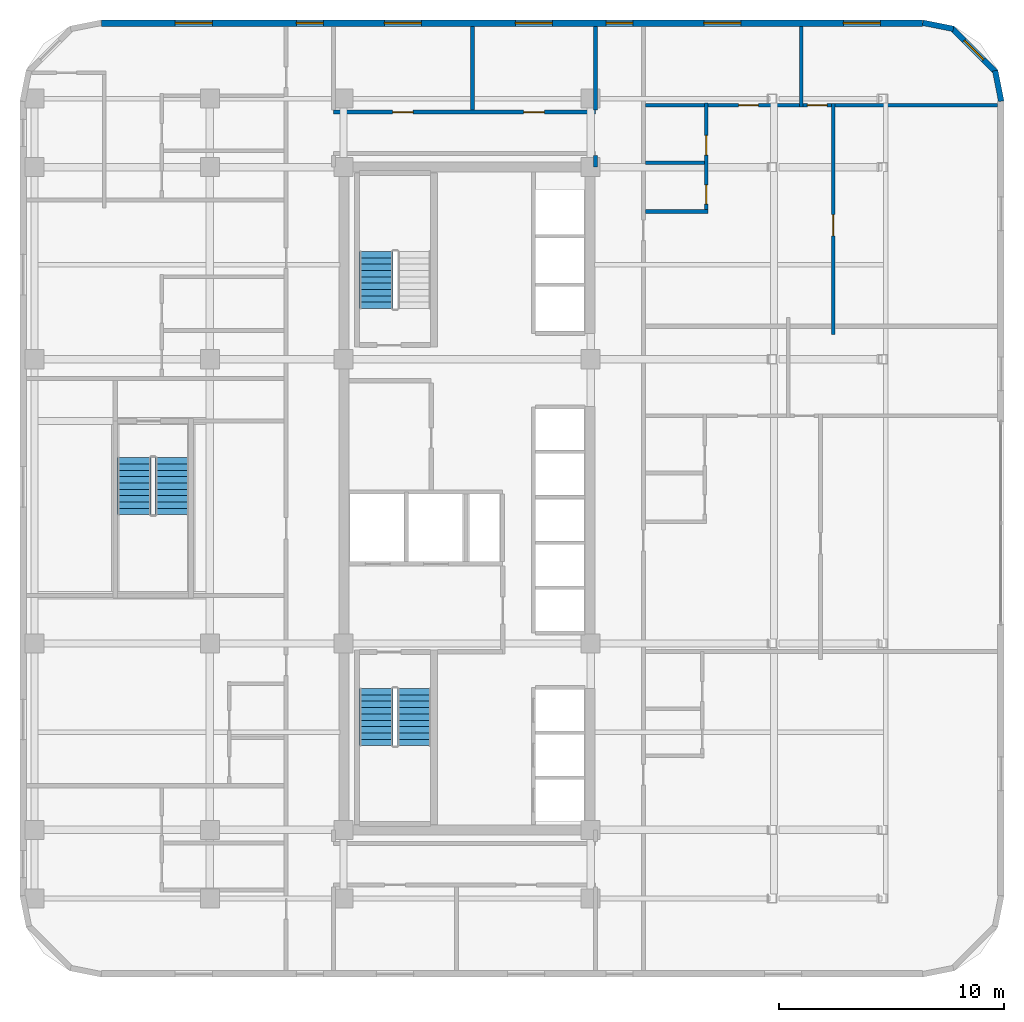
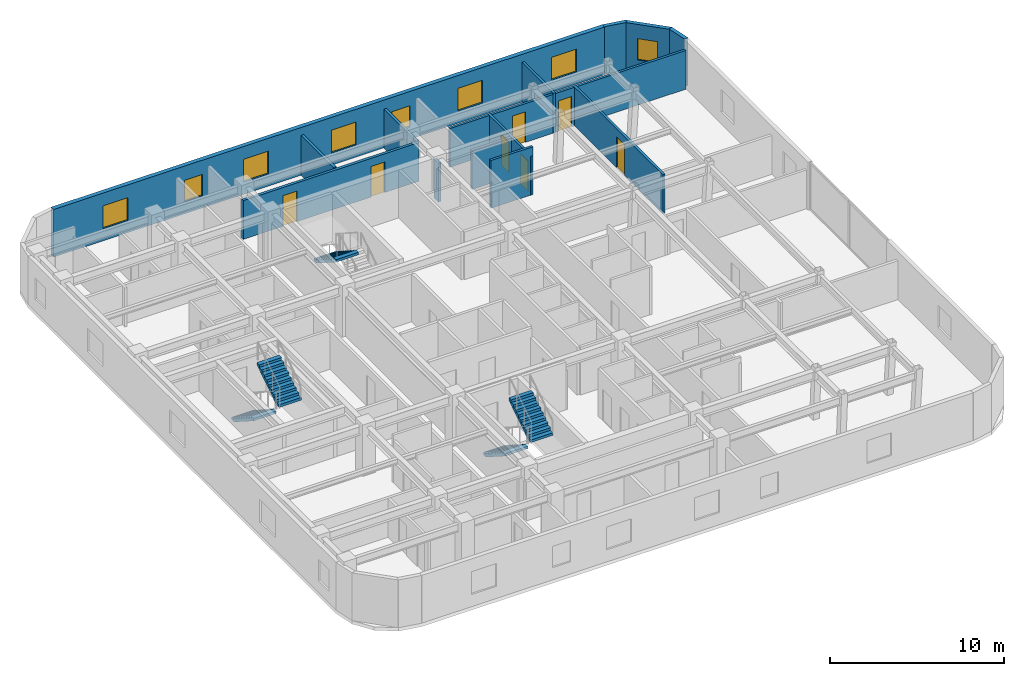
# One storey, part 7 of 9: 14 walls, 8 windows, 7 doors, 5 stair flights, 15 openings, 3 elements without a shape of their own.
"""IFC4 building model written with IfcOpenShell, lengths in metres."""

from ifc_helpers import new_model, si_unit, direction, frame, frame_2d, origin, place, context, subcontext, project, spatial, polyline, rectangle, outline, extrude, material, layer, layer_set, type_object, element, fill, aggregate, save


model = new_model("IFC4")

# Units and contexts
model_context = context("Model", 3, precision=1e-05, world=origin(), true_north=direction((0.0, 1.0)))
body_context = subcontext(model_context, "Body", "Model", "MODEL_VIEW")
ifc_project = project(units=[si_unit("LENGTHUNIT", "METRE"), si_unit("AREAUNIT", "SQUARE_METRE"), si_unit("VOLUMEUNIT", "CUBIC_METRE"), si_unit("PLANEANGLEUNIT", "RADIAN"), si_unit("MASSUNIT", "GRAM", prefix="KILO")], contexts=[model_context])

# Site, building, storey
site_placement = place(None, origin())
site = spatial("IfcSite", under=ifc_project, at=site_placement, CompositionType="ELEMENT")
building_placement = place(site_placement, origin())
building = spatial("IfcBuilding", under=site, at=building_placement, Name="Ochreholt Gables", CompositionType="ELEMENT")
storey_placement = place(building_placement, frame((0.0, 0.0, 94.800048828125)))
storey = spatial("IfcBuildingStorey", under=building, at=storey_placement, Name="L24", CompositionType="ELEMENT", Elevation=94.800048828125)

# Wall, openings, windows
ifc_material_1 = material(Name="Precast concrete 40 MPa", Category="concrete")
ifc_layer_1 = layer(ifc_material_1, 0.280029296875, Name="Precast concrete 40 MPa")
ifc_layer_set_1 = layer_set([ifc_layer_1], Name="Precast concrete 40 MPa")
wall_type_1 = type_object("IfcWallType", Name="WALL-EXT-280", PredefinedType="SOLIDWALL", material=ifc_layer_set_1)
wall_1_placement = place(storey_placement, frame((49.97998046875, 45.159912109375, 0.0), z_axis=(0.0, 0.0, 1.0), x_axis=(-1.0, 0.0, 0.0)))
wall_1 = element("IfcWall", 1, at=wall_1_placement, inside=storey, type_object=wall_type_1, Name="L24 North Exterior Wall", PredefinedType="SOLIDWALL", context=body_context, shape_type="SweptSolid", body=[
    extrude(rectangle(XDim=36.56005859375, YDim=0.280029296875, at=frame_2d((18.280029296875, 0.0))), origin(), (0.0, 0.0, 1.0), 3.349853515625),
])
opening_1_placement = place(wall_1_placement, frame((31.6201171875, 0.0, 0.85009765625)))
opening_1 = element("IfcOpeningElement", 2, at=opening_1_placement, cuts=wall_1, Name="Opening WN-7", PredefinedType="OPENING", context=body_context, shape_type="SweptSolid", body=[
    extrude(rectangle(XDim=1.64990234375, YDim=1.60009765625, at=frame_2d((0.824951171875, 0.800048828125))), frame((0.0, 0.14990234375, 0.0), z_axis=(0.0, -1.0, 0.0), x_axis=(1.0, 0.0, 0.0)), (0.0, 0.0, 1.0), 0.300048828125),
])
opening_2_placement = place(wall_1_placement, frame((26.679931640625, 0.0, 0.85009765625)))
opening_2 = element("IfcOpeningElement", 3, at=opening_2_placement, cuts=wall_1, Name="Opening WN-3", PredefinedType="OPENING", context=body_context, shape_type="SweptSolid", body=[
    extrude(rectangle(XDim=1.199951171875, YDim=1.5, at=frame_2d((0.60009765625, 0.75))), frame((0.0, 0.14990234375, 0.0), z_axis=(0.0, -1.0, 0.0), x_axis=(1.0, 0.0, 0.0)), (0.0, 0.0, 1.0), 0.300048828125),
])
opening_3_placement = place(wall_1_placement, frame((22.3125, 0.0, 0.85009765625)))
opening_3 = element("IfcOpeningElement", 4, at=opening_3_placement, cuts=wall_1, Name="Opening WN-7", PredefinedType="OPENING", context=body_context, shape_type="SweptSolid", body=[
    extrude(rectangle(XDim=1.64990234375, YDim=1.60009765625, at=frame_2d((0.824951171875, 0.800048828125))), frame((0.0, 0.14990234375, 0.0), z_axis=(0.0, -1.0, 0.0), x_axis=(1.0, 0.0, 0.0)), (0.0, 0.0, 1.0), 0.300048828125),
])
opening_4_placement = place(wall_1_placement, frame((16.477294921875, 0.0, 0.85009765625)))
opening_4 = element("IfcOpeningElement", 5, at=opening_4_placement, cuts=wall_1, Name="Opening WN-7", PredefinedType="OPENING", context=body_context, shape_type="SweptSolid", body=[
    extrude(rectangle(XDim=1.64990234375, YDim=1.60009765625, at=frame_2d((0.824951171875, 0.800048828125))), frame((0.0, 0.14990234375, 0.0), z_axis=(0.0, -1.0, 0.0), x_axis=(1.0, 0.0, 0.0)), (0.0, 0.0, 1.0), 0.300048828125),
])
opening_5_placement = place(wall_1_placement, frame((12.89501953125, 0.0, 0.85009765625)))
opening_5 = element("IfcOpeningElement", 6, at=opening_5_placement, cuts=wall_1, Name="Opening WN-3", PredefinedType="OPENING", context=body_context, shape_type="SweptSolid", body=[
    extrude(rectangle(XDim=1.199951171875, YDim=1.5, at=frame_2d((0.60009765625, 0.75))), frame((0.0, 0.14990234375, 0.0), z_axis=(0.0, -1.0, 0.0), x_axis=(1.0, 0.0, 0.0)), (0.0, 0.0, 1.0), 0.300048828125),
])
opening_6_placement = place(wall_1_placement, frame((8.09228515625, 0.0, 0.85009765625)))
opening_6 = element("IfcOpeningElement", 7, at=opening_6_placement, cuts=wall_1, Name="Opening WN-7", PredefinedType="OPENING", context=body_context, shape_type="SweptSolid", body=[
    extrude(rectangle(XDim=1.64990234375, YDim=1.60009765625, at=frame_2d((0.824951171875, 0.800048828125))), frame((0.0, 0.14990234375, 0.0), z_axis=(0.0, -1.0, 0.0), x_axis=(1.0, 0.0, 0.0)), (0.0, 0.0, 1.0), 0.300048828125),
])
opening_7_placement = place(wall_1_placement, frame((1.87744140625, 0.0, 0.85009765625)))
opening_7 = element("IfcOpeningElement", 8, at=opening_7_placement, cuts=wall_1, Name="Opening WN-7", PredefinedType="OPENING", context=body_context, shape_type="SweptSolid", body=[
    extrude(rectangle(XDim=1.64990234375, YDim=1.60009765625, at=frame_2d((0.824951171875, 0.800048828125))), frame((0.0, 0.14990234375, 0.0), z_axis=(0.0, -1.0, 0.0), x_axis=(1.0, 0.0, 0.0)), (0.0, 0.0, 1.0), 0.300048828125),
])
ifc_material_2 = material(Name="Triple-Glazed Thermally Broken Aluminium Window", Category="aluminium")
window_type_1 = type_object("IfcWindowType", Name="WIN-RES-1200", PartitioningType="SINGLE_PANEL", PredefinedType="WINDOW", material=ifc_material_2)
window_1_placement = place(opening_2_placement, origin())
window_1 = element("IfcWindow", 9, at=window_1_placement, inside=storey, type_object=window_type_1, Name="L24 Window W-EXT-N-L24-2", OverallHeight=1.5, OverallWidth=1.199951171875, PartitioningType="SINGLE_PANEL", PredefinedType="WINDOW", context=body_context, shape_type="SweptSolid", body=[
    extrude(rectangle(XDim=1.199951171875, YDim=1.5, at=frame_2d((0.60009765625, 0.75))), frame((0.0, 0.030029296875, 0.0), z_axis=(0.0, -1.0, 0.0), x_axis=(1.0, 0.0, 0.0)), (0.0, 0.0, 1.0), 0.06005859375),
])
fill(opening_2, window_1)
window_2_placement = place(opening_5_placement, origin())
window_2 = element("IfcWindow", 10, at=window_2_placement, inside=storey, type_object=window_type_1, Name="L24 Window W-EXT-N-L24-5", OverallHeight=1.5, OverallWidth=1.199951171875, PartitioningType="SINGLE_PANEL", PredefinedType="WINDOW", context=body_context, shape_type="SweptSolid", body=[
    extrude(rectangle(XDim=1.199951171875, YDim=1.5, at=frame_2d((0.60009765625, 0.75))), frame((0.0, 0.030029296875, 0.0), z_axis=(0.0, -1.0, 0.0), x_axis=(1.0, 0.0, 0.0)), (0.0, 0.0, 1.0), 0.06005859375),
])
fill(opening_5, window_2)
window_type_2 = type_object("IfcWindowType", Name="WIN-RES-1650", PartitioningType="SINGLE_PANEL", PredefinedType="WINDOW", material=ifc_material_2)
window_3_placement = place(opening_1_placement, origin())
window_3 = element("IfcWindow", 11, at=window_3_placement, inside=storey, type_object=window_type_2, Name="L24 Window W-EXT-N-L24-1", OverallHeight=1.60009765625, OverallWidth=1.64990234375, PartitioningType="SINGLE_PANEL", PredefinedType="WINDOW", context=body_context, shape_type="SweptSolid", body=[
    extrude(rectangle(XDim=1.64990234375, YDim=1.60009765625, at=frame_2d((0.824951171875, 0.800048828125))), frame((0.0, 0.030029296875, 0.0), z_axis=(0.0, -1.0, 0.0), x_axis=(1.0, 0.0, 0.0)), (0.0, 0.0, 1.0), 0.06005859375),
])
fill(opening_1, window_3)
window_4_placement = place(opening_3_placement, origin())
window_4 = element("IfcWindow", 12, at=window_4_placement, inside=storey, type_object=window_type_2, Name="L24 Window W-EXT-N-L24-3", OverallHeight=1.60009765625, OverallWidth=1.64990234375, PartitioningType="SINGLE_PANEL", PredefinedType="WINDOW", context=body_context, shape_type="SweptSolid", body=[
    extrude(rectangle(XDim=1.64990234375, YDim=1.60009765625, at=frame_2d((0.824951171875, 0.800048828125))), frame((0.0, 0.030029296875, 0.0), z_axis=(0.0, -1.0, 0.0), x_axis=(1.0, 0.0, 0.0)), (0.0, 0.0, 1.0), 0.06005859375),
])
fill(opening_3, window_4)
window_5_placement = place(opening_4_placement, origin())
window_5 = element("IfcWindow", 13, at=window_5_placement, inside=storey, type_object=window_type_2, Name="L24 Window W-EXT-N-L24-4", OverallHeight=1.60009765625, OverallWidth=1.64990234375, PartitioningType="SINGLE_PANEL", PredefinedType="WINDOW", context=body_context, shape_type="SweptSolid", body=[
    extrude(rectangle(XDim=1.64990234375, YDim=1.60009765625, at=frame_2d((0.824951171875, 0.800048828125))), frame((0.0, 0.030029296875, 0.0), z_axis=(0.0, -1.0, 0.0), x_axis=(1.0, 0.0, 0.0)), (0.0, 0.0, 1.0), 0.06005859375),
])
fill(opening_4, window_5)
window_6_placement = place(opening_6_placement, origin())
window_6 = element("IfcWindow", 14, at=window_6_placement, inside=storey, type_object=window_type_2, Name="L24 Window W-EXT-N-L24-6", OverallHeight=1.60009765625, OverallWidth=1.64990234375, PartitioningType="SINGLE_PANEL", PredefinedType="WINDOW", context=body_context, shape_type="SweptSolid", body=[
    extrude(rectangle(XDim=1.64990234375, YDim=1.60009765625, at=frame_2d((0.824951171875, 0.800048828125))), frame((0.0, 0.030029296875, 0.0), z_axis=(0.0, -1.0, 0.0), x_axis=(1.0, 0.0, 0.0)), (0.0, 0.0, 1.0), 0.06005859375),
])
fill(opening_6, window_6)
window_7_placement = place(opening_7_placement, origin())
window_7 = element("IfcWindow", 15, at=window_7_placement, inside=storey, type_object=window_type_2, Name="L24 Window W-EXT-N-L24-7", OverallHeight=1.60009765625, OverallWidth=1.64990234375, PartitioningType="SINGLE_PANEL", PredefinedType="WINDOW", context=body_context, shape_type="SweptSolid", body=[
    extrude(rectangle(XDim=1.64990234375, YDim=1.60009765625, at=frame_2d((0.824951171875, 0.800048828125))), frame((0.0, 0.030029296875, 0.0), z_axis=(0.0, -1.0, 0.0), x_axis=(1.0, 0.0, 0.0)), (0.0, 0.0, 1.0), 0.06005859375),
])
fill(opening_7, window_7)

# Wall
ifc_layer_2 = layer(ifc_material_1, 0.25, Name="Precast concrete 40 MPa")
ifc_layer_set_2 = layer_set([ifc_layer_2], Name="Precast concrete 40 MPa")
wall_type_2 = type_object("IfcWallType", Name="WALL-EXT-CNR", PredefinedType="SOLIDWALL", material=ifc_layer_set_2)
wall_2_placement = place(storey_placement, frame((53.475830078125, 41.68359375, 0.0), z_axis=(0.0, 0.0, 1.0), x_axis=(-0.195000137217, 0.980803214965, 0.0)))
element("IfcWall", 16, at=wall_2_placement, inside=storey, type_object=wall_type_2, Name="L24 Rounded Corner Wall NE-1", PredefinedType="SOLIDWALL", context=body_context, shape_type="SweptSolid", body=[
    extrude(rectangle(XDim=1.388427734375, YDim=0.25, at=frame_2d((0.6943359375, 0.0))), origin(), (0.0, 0.0, 1.0), 3.349853515625),
])

# Wall, opening, window
wall_3_placement = place(storey_placement, frame((53.23193359375, 42.9951171875, 0.0), z_axis=(0.0, 0.0, 1.0), x_axis=(-0.707151344399, 0.707062215165, 0.0)))
wall_3 = element("IfcWall", 17, at=wall_3_placement, inside=storey, type_object=wall_type_2, Name="L24 Rounded Corner Wall NE-2", PredefinedType="SOLIDWALL", context=body_context, shape_type="SweptSolid", body=[
    extrude(rectangle(XDim=2.7392578125, YDim=0.25, at=frame_2d((1.36962890625, 0.0))), origin(), (0.0, 0.0, 1.0), 3.349853515625),
])
opening_8_placement = place(wall_3_placement, frame((0.769775390625, 0.0, 0.85009765625)))
opening_8 = element("IfcOpeningElement", 18, at=opening_8_placement, cuts=wall_3, Name="Opening WN-3", PredefinedType="OPENING", context=body_context, shape_type="SweptSolid", body=[
    extrude(rectangle(XDim=1.199951171875, YDim=1.5, at=frame_2d((0.60009765625, 0.75))), frame((0.0, 0.135009765625, 0.0), z_axis=(0.0, -1.0, 0.0), x_axis=(1.0, 0.0, 0.0)), (0.0, 0.0, 1.0), 0.27001953125),
])
window_8_placement = place(opening_8_placement, origin())
window_8 = element("IfcWindow", 19, at=window_8_placement, inside=storey, type_object=window_type_1, Name="L24 Corner Bedroom Window NE", OverallHeight=1.5, OverallWidth=1.199951171875, PartitioningType="SINGLE_PANEL", PredefinedType="WINDOW", context=body_context, shape_type="SweptSolid", body=[
    extrude(rectangle(XDim=1.199951171875, YDim=1.5, at=frame_2d((0.60009765625, 0.75))), frame((0.0, 0.030029296875, 0.0), z_axis=(0.0, -1.0, 0.0), x_axis=(1.0, 0.0, 0.0)), (0.0, 0.0, 1.0), 0.06005859375),
])
fill(opening_8, window_8)

# Wall
wall_4_placement = place(storey_placement, frame((51.345458984375, 44.905029296875, 0.0), z_axis=(0.0, 0.0, 1.0), x_axis=(-0.980809899341, 0.19496651342, 0.0)))
element("IfcWall", 20, at=wall_4_placement, inside=storey, type_object=wall_type_2, Name="L24 Rounded Corner Wall NE-3", PredefinedType="SOLIDWALL", context=body_context, shape_type="SweptSolid", body=[
    extrude(rectangle(XDim=1.388671875, YDim=0.25, at=frame_2d((0.6943359375, 0.0))), origin(), (0.0, 0.0, 1.0), 3.349853515625),
])

# Wall, openings, doors
ifc_material_3 = material(Name="Fire-Rated Gypsum Acoustic Partition", Category="gypsum")
ifc_layer_3 = layer(ifc_material_3, 0.179931640625, Name="Fire-Rated Gypsum Acoustic Partition")
ifc_layer_set_3 = layer_set([ifc_layer_3], Name="Fire-Rated Gypsum Acoustic Partition")
wall_type_3 = type_object("IfcWallType", Name="WALL-INT-CR180", PredefinedType="STANDARD", material=ifc_layer_set_3)
wall_5_placement = place(storey_placement, frame((23.75, 41.199951171875, 0.0), z_axis=(0.0, 0.0, 1.0), x_axis=(1.0, 0.0, 0.0)))
wall_5 = element("IfcWall", 21, at=wall_5_placement, inside=storey, type_object=wall_type_3, Name="L24 Interior Wall WI-C1N-L24", PredefinedType="STANDARD", context=body_context, shape_type="SweptSolid", body=[
    extrude(rectangle(XDim=11.669921875, YDim=0.179931640625, at=frame_2d((5.8349609375, 0.0))), origin(), (0.0, 0.0, 1.0), 2.720947265625),
])
opening_9_placement = place(wall_5_placement, frame((2.632568359375, 0.0, 0.0)))
opening_9 = element("IfcOpeningElement", 22, at=opening_9_placement, cuts=wall_5, Name="Opening D-UN1", PredefinedType="OPENING", context=body_context, shape_type="SweptSolid", body=[
    extrude(rectangle(XDim=0.919921875, YDim=2.14990234375, at=frame_2d((0.4599609375, 1.074951171875))), frame((0.0, 0.099853515625, 0.0), z_axis=(0.0, -1.0, 0.0), x_axis=(1.0, 0.0, 0.0)), (0.0, 0.0, 1.0), 0.199951171875),
])
opening_10_placement = place(wall_5_placement, frame((8.467529296875, 0.0, 0.0)))
opening_10 = element("IfcOpeningElement", 23, at=opening_10_placement, cuts=wall_5, Name="Opening D-UN1", PredefinedType="OPENING", context=body_context, shape_type="SweptSolid", body=[
    extrude(rectangle(XDim=0.919921875, YDim=2.14990234375, at=frame_2d((0.4599609375, 1.074951171875))), frame((0.0, 0.099853515625, 0.0), z_axis=(0.0, -1.0, 0.0), x_axis=(1.0, 0.0, 0.0)), (0.0, 0.0, 1.0), 0.199951171875),
])
ifc_material_4 = material(Name="Engineered Oak Timber", Category="wood")
door_type_1 = type_object("IfcDoorType", Name="DR-INT-UNT920", OperationType="NOTDEFINED", PredefinedType="DOOR", material=ifc_material_4)
door_1_placement = place(opening_9_placement, origin())
door_1 = element("IfcDoor", 24, at=door_1_placement, inside=storey, type_object=door_type_1, Name="L24 Door D-U-L24N1-ENT", OperationType="SINGLE_SWING_RIGHT", OverallHeight=2.14990234375, OverallWidth=0.919921875, PredefinedType="DOOR", context=body_context, shape_type="SweptSolid", body=[
    extrude(rectangle(XDim=0.919921875, YDim=2.14990234375, at=frame_2d((0.4599609375, 1.074951171875))), frame((0.0, 0.02490234375, 0.0), z_axis=(0.0, -1.0, 0.0), x_axis=(1.0, 0.0, 0.0)), (0.0, 0.0, 1.0), 0.050048828125),
])
fill(opening_9, door_1)
door_2_placement = place(opening_10_placement, origin())
door_2 = element("IfcDoor", 25, at=door_2_placement, inside=storey, type_object=door_type_1, Name="L24 Door D-U-L24N2-ENT", OperationType="SINGLE_SWING_RIGHT", OverallHeight=2.14990234375, OverallWidth=0.919921875, PredefinedType="DOOR", context=body_context, shape_type="SweptSolid", body=[
    extrude(rectangle(XDim=0.919921875, YDim=2.14990234375, at=frame_2d((0.4599609375, 1.074951171875))), frame((0.0, 0.02490234375, 0.0), z_axis=(0.0, -1.0, 0.0), x_axis=(1.0, 0.0, 0.0)), (0.0, 0.0, 1.0), 0.050048828125),
])
fill(opening_10, door_2)

# Walls
wall_6_placement = place(storey_placement, frame((35.419921875, 38.75, 0.0), z_axis=(0.0, 0.0, 1.0), x_axis=(0.0, 1.0, 0.0)))
element("IfcWall", 26, at=wall_6_placement, inside=storey, type_object=wall_type_3, Name="L24 Interior Wall WI-C1ENW2-L24", PredefinedType="STANDARD", context=body_context, shape_type="SweptSolid", body=[
    extrude(rectangle(XDim=0.510009765625, YDim=0.179931640625, at=frame_2d((0.2548828125, 0.0))), origin(), (0.0, 0.0, 1.0), 2.720947265625),
])
ifc_material_5 = material(Name="Double-Stud Acoustic Demising Wall", Category="gypsum")
ifc_layer_4 = layer(ifc_material_5, 0.179931640625, Name="Double-Stud Acoustic Demising Wall")
ifc_layer_set_4 = layer_set([ifc_layer_4], Name="Double-Stud Acoustic Demising Wall")
wall_type_4 = type_object("IfcWallType", Name="WALL-INT-DM180", PredefinedType="PARTITIONING", material=ifc_layer_set_4)
wall_7_placement = place(storey_placement, frame((35.419921875, 41.2900390625, 0.0), z_axis=(0.0, 0.0, 1.0), x_axis=(0.0, 1.0, 0.0)))
element("IfcWall", 27, at=wall_7_placement, inside=storey, type_object=wall_type_4, Name="L24 Interior Wall WI-C1ENW-L24", PredefinedType="PARTITIONING", context=body_context, shape_type="SweptSolid", body=[
    extrude(rectangle(XDim=3.72998046875, YDim=0.179931640625, at=frame_2d((1.864990234375, 0.0))), origin(), (0.0, 0.0, 1.0), 2.720947265625),
])
wall_8_placement = place(storey_placement, frame((29.93505859375, 41.2900390625, 0.0), z_axis=(0.0, 0.0, 1.0), x_axis=(0.0, 1.0, 0.0)))
element("IfcWall", 28, at=wall_8_placement, inside=storey, type_object=wall_type_4, Name="L24 Interior Wall WI-UDN-L24", PredefinedType="PARTITIONING", context=body_context, shape_type="SweptSolid", body=[
    extrude(rectangle(XDim=3.72998046875, YDim=0.179931640625, at=frame_2d((1.864990234375, 0.0))), origin(), (0.0, 0.0, 1.0), 2.799072265625),
])
ifc_material_6 = material(Name="Moisture-Resistant Plumbing Chase Wall", Category="gypsum")
ifc_layer_5 = layer(ifc_material_6, 0.159912109375, Name="Moisture-Resistant Plumbing Chase Wall")
ifc_layer_set_5 = layer_set([ifc_layer_5], Name="Moisture-Resistant Plumbing Chase Wall")
wall_type_5 = type_object("IfcWallType", Name="WALL-INT-PL160", PredefinedType="PLUMBINGWALL", material=ifc_layer_set_5)
wall_9_placement = place(storey_placement, frame((37.639892578125, 36.7744140625, 0.0), z_axis=(0.0, 0.0, 1.0), x_axis=(1.0, 0.0, 0.0)))
element("IfcWall", 29, at=wall_9_placement, inside=storey, type_object=wall_type_5, Name="L24 Interior Wall WU-L24E3-FYS", PredefinedType="PLUMBINGWALL", context=body_context, shape_type="SweptSolid", body=[
    extrude(rectangle(XDim=2.7880859375, YDim=0.159912109375, at=frame_2d((1.39404296875, 0.0))), origin(), (0.0, 0.0, 1.0), 3.349853515625),
])

# Wall, openings, doors
wall_10_placement = place(storey_placement, frame((40.347900390625, 36.6845703125, 0.0), z_axis=(0.0, 0.0, 1.0), x_axis=(0.0, 1.0, 0.0)))
wall_10 = element("IfcWall", 30, at=wall_10_placement, inside=storey, type_object=wall_type_5, Name="L24 Interior Wall WU-L24E3-WX", PredefinedType="PLUMBINGWALL", context=body_context, shape_type="SweptSolid", body=[
    extrude(rectangle(XDim=4.91552734375, YDim=0.159912109375, at=frame_2d((2.457763671875, 0.0))), origin(), (0.0, 0.0, 1.0), 2.720947265625),
])
opening_11_placement = place(wall_10_placement, frame((0.419921875, 0.0, 0.0)))
opening_11 = element("IfcOpeningElement", 31, at=opening_11_placement, cuts=wall_10, Name="Opening D-BT1", PredefinedType="OPENING", context=body_context, shape_type="SweptSolid", body=[
    extrude(rectangle(XDim=0.860107421875, YDim=2.1201171875, at=frame_2d((0.43017578125, 1.06005859375))), frame((0.0, 0.08984375, 0.0), z_axis=(0.0, -1.0, 0.0), x_axis=(1.0, 0.0, 0.0)), (0.0, 0.0, 1.0), 0.179931640625),
])
opening_12_placement = place(wall_10_placement, frame((2.598388671875, 0.0, 0.0)))
opening_12 = element("IfcOpeningElement", 32, at=opening_12_placement, cuts=wall_10, Name="Opening D-GN2", PredefinedType="OPENING", context=body_context, shape_type="SweptSolid", body=[
    extrude(rectangle(XDim=0.8798828125, YDim=2.1201171875, at=frame_2d((0.43994140625, 1.06005859375))), frame((0.0, 0.08984375, 0.0), z_axis=(0.0, -1.0, 0.0), x_axis=(1.0, 0.0, 0.0)), (0.0, 0.0, 1.0), 0.179931640625),
])
door_type_2 = type_object("IfcDoorType", Name="DR-INT-BTH860", OperationType="NOTDEFINED", PredefinedType="DOOR", material=ifc_material_4)
door_3_placement = place(opening_11_placement, origin())
door_3 = element("IfcDoor", 33, at=door_3_placement, inside=storey, type_object=door_type_2, Name="L24 Door D-U-L24E3-BTH", OperationType="SINGLE_SWING_LEFT", OverallHeight=2.1201171875, OverallWidth=0.860107421875, PredefinedType="DOOR", context=body_context, shape_type="SweptSolid", body=[
    extrude(rectangle(XDim=0.860107421875, YDim=2.1201171875, at=frame_2d((0.43017578125, 1.06005859375))), frame((0.0, 0.02490234375, 0.0), z_axis=(0.0, -1.0, 0.0), x_axis=(1.0, 0.0, 0.0)), (0.0, 0.0, 1.0), 0.050048828125),
])
fill(opening_11, door_3)
door_type_3 = type_object("IfcDoorType", Name="DR-INT-GEN880", OperationType="NOTDEFINED", PredefinedType="DOOR", material=ifc_material_4)
door_4_placement = place(opening_12_placement, origin())
door_4 = element("IfcDoor", 34, at=door_4_placement, inside=storey, type_object=door_type_3, Name="L24 Door D-U-L24E3-KIT", OperationType="SINGLE_SWING_RIGHT", OverallHeight=2.1201171875, OverallWidth=0.8798828125, PredefinedType="DOOR", context=body_context, shape_type="SweptSolid", body=[
    extrude(rectangle(XDim=0.8798828125, YDim=2.1201171875, at=frame_2d((0.43994140625, 1.06005859375))), frame((0.0, 0.02490234375, 0.0), z_axis=(0.0, -1.0, 0.0), x_axis=(1.0, 0.0, 0.0)), (0.0, 0.0, 1.0), 0.050048828125),
])
fill(opening_12, door_4)

# Wall
wall_11_placement = place(storey_placement, frame((37.639892578125, 38.952880859375, 0.0), z_axis=(0.0, 0.0, 1.0), x_axis=(1.0, 0.0, 0.0)))
element("IfcWall", 35, at=wall_11_placement, inside=storey, type_object=wall_type_5, Name="L24 Interior Wall WU-L24E3-WK", PredefinedType="PLUMBINGWALL", context=body_context, shape_type="SweptSolid", body=[
    extrude(rectangle(XDim=2.628173828125, YDim=0.159912109375, at=frame_2d((1.31396484375, 0.0))), origin(), (0.0, 0.0, 1.0), 2.720947265625),
])

# Wall, openings, doors
ifc_material_7 = material(Name="Gypsum Acoustic Stud Partition", Category="gypsum")
ifc_layer_6 = layer(ifc_material_7, 0.159912109375, Name="Gypsum Acoustic Stud Partition")
ifc_layer_set_6 = layer_set([ifc_layer_6], Name="Gypsum Acoustic Stud Partition")
wall_type_6 = type_object("IfcWallType", Name="WALL-INT-PT160", PredefinedType="PARTITIONING", material=ifc_layer_set_6)
wall_12_placement = place(storey_placement, frame((37.639892578125, 41.510009765625, 0.0), z_axis=(0.0, 0.0, 1.0), x_axis=(1.0, 0.0, 0.0)))
wall_12 = element("IfcWall", 36, at=wall_12_placement, inside=storey, type_object=wall_type_6, Name="L24 Interior Wall WU-L24E3-MN", PredefinedType="PARTITIONING", context=body_context, shape_type="SweptSolid", body=[
    extrude(rectangle(XDim=15.68017578125, YDim=0.159912109375, at=frame_2d((7.840087890625, 0.0))), origin(), (0.0, 0.0, 1.0), 2.720947265625),
])
opening_13_placement = place(wall_12_placement, frame((4.146484375, 0.0, 0.0)))
opening_13 = element("IfcOpeningElement", 37, at=opening_13_placement, cuts=wall_12, Name="Opening D-BD2", PredefinedType="OPENING", context=body_context, shape_type="SweptSolid", body=[
    extrude(rectangle(XDim=0.8798828125, YDim=2.139892578125, at=frame_2d((0.43994140625, 1.06982421875))), frame((0.0, 0.08984375, 0.0), z_axis=(0.0, -1.0, 0.0), x_axis=(1.0, 0.0, 0.0)), (0.0, 0.0, 1.0), 0.179931640625),
])
opening_14_placement = place(wall_12_placement, frame((7.205078125, 0.0, 0.0)))
opening_14 = element("IfcOpeningElement", 38, at=opening_14_placement, cuts=wall_12, Name="Opening D-BD2", PredefinedType="OPENING", context=body_context, shape_type="SweptSolid", body=[
    extrude(rectangle(XDim=0.8798828125, YDim=2.139892578125, at=frame_2d((0.43994140625, 1.06982421875))), frame((0.0, 0.08984375, 0.0), z_axis=(0.0, -1.0, 0.0), x_axis=(1.0, 0.0, 0.0)), (0.0, 0.0, 1.0), 0.179931640625),
])
door_type_4 = type_object("IfcDoorType", Name="DR-INT-BED880", OperationType="NOTDEFINED", PredefinedType="DOOR", material=ifc_material_4)
door_5_placement = place(opening_13_placement, origin())
door_5 = element("IfcDoor", 39, at=door_5_placement, inside=storey, type_object=door_type_4, Name="L24 Door D-U-L24E3-BD1", OperationType="SINGLE_SWING_RIGHT", OverallHeight=2.139892578125, OverallWidth=0.8798828125, PredefinedType="DOOR", context=body_context, shape_type="SweptSolid", body=[
    extrude(rectangle(XDim=0.8798828125, YDim=2.139892578125, at=frame_2d((0.43994140625, 1.06982421875))), frame((0.0, 0.02490234375, 0.0), z_axis=(0.0, -1.0, 0.0), x_axis=(1.0, 0.0, 0.0)), (0.0, 0.0, 1.0), 0.050048828125),
])
fill(opening_13, door_5)
door_6_placement = place(opening_14_placement, origin())
door_6 = element("IfcDoor", 40, at=door_6_placement, inside=storey, type_object=door_type_4, Name="L24 Door D-U-L24E3-BD2", OperationType="SINGLE_SWING_LEFT", OverallHeight=2.139892578125, OverallWidth=0.8798828125, PredefinedType="DOOR", context=body_context, shape_type="SweptSolid", body=[
    extrude(rectangle(XDim=0.8798828125, YDim=2.139892578125, at=frame_2d((0.43994140625, 1.06982421875))), frame((0.0, 0.02490234375, 0.0), z_axis=(0.0, -1.0, 0.0), x_axis=(1.0, 0.0, 0.0)), (0.0, 0.0, 1.0), 0.050048828125),
])
fill(opening_14, door_6)

# Wall, opening, door
wall_13_placement = place(storey_placement, frame((46.005126953125, 31.30810546875, 0.0), z_axis=(0.0, 0.0, 1.0), x_axis=(0.0, 1.0, 0.0)))
wall_13 = element("IfcWall", 41, at=wall_13_placement, inside=storey, type_object=wall_type_6, Name="L24 Interior Wall WU-L24E3-DNV", PredefinedType="PARTITIONING", context=body_context, shape_type="SweptSolid", body=[
    extrude(rectangle(XDim=10.281982421875, YDim=0.159912109375, at=frame_2d((5.14111328125, 0.0))), origin(), (0.0, 0.0, 1.0), 2.720947265625),
])
opening_15_placement = place(wall_13_placement, frame((4.381103515625, 0.0, 0.0)))
opening_15 = element("IfcOpeningElement", 42, at=opening_15_placement, cuts=wall_13, Name="Opening D-GN1", PredefinedType="OPENING", context=body_context, shape_type="SweptSolid", body=[
    extrude(rectangle(XDim=0.949951171875, YDim=2.14990234375, at=frame_2d((0.47509765625, 1.074951171875))), frame((0.0, 0.08984375, 0.0), z_axis=(0.0, -1.0, 0.0), x_axis=(1.0, 0.0, 0.0)), (0.0, 0.0, 1.0), 0.179931640625),
])
door_type_5 = type_object("IfcDoorType", Name="DR-INT-GEN950", OperationType="NOTDEFINED", PredefinedType="DOOR", material=ifc_material_4)
door_7_placement = place(opening_15_placement, origin())
door_7 = element("IfcDoor", 43, at=door_7_placement, inside=storey, type_object=door_type_5, Name="L24 Door D-U-L24E3-DIN", OperationType="SINGLE_SWING_LEFT", OverallHeight=2.14990234375, OverallWidth=0.949951171875, PredefinedType="DOOR", context=body_context, shape_type="SweptSolid", body=[
    extrude(rectangle(XDim=0.949951171875, YDim=2.14990234375, at=frame_2d((0.47509765625, 1.074951171875))), frame((0.0, 0.02490234375, 0.0), z_axis=(0.0, -1.0, 0.0), x_axis=(1.0, 0.0, 0.0)), (0.0, 0.0, 1.0), 0.050048828125),
])
fill(opening_15, door_7)

# Wall
wall_14_placement = place(storey_placement, frame((44.5751953125, 41.429931640625, 0.0), z_axis=(0.0, 0.0, 1.0), x_axis=(0.0, 1.0, 0.0)))
element("IfcWall", 44, at=wall_14_placement, inside=storey, type_object=wall_type_6, Name="L24 Interior Wall WU-L24E3-BSD", PredefinedType="PARTITIONING", context=body_context, shape_type="SweptSolid", body=[
    extrude(rectangle(XDim=3.590087890625, YDim=0.159912109375, at=frame_2d((1.794921875, 0.0))), origin(), (0.0, 0.0, 1.0), 2.799072265625),
])

# Stair, stair flights
ifc_material_8 = material(Name="Concrete 40 MPa", Category="concrete")
stair_type_1 = type_object("IfcStairType", Name="STAIR-CORE-ST-1", PredefinedType="HALF_TURN_STAIR", material=ifc_material_8)
stair_1_placement = place(storey_placement, origin())
stair_1 = element("IfcStair", 45, at=stair_1_placement, inside=storey, type_object=stair_type_1, Name="L24 Core Exit Stair 1", PredefinedType="HALF_TURN_STAIR")
stair_flight_type = type_object("IfcStairFlightType", Name="FLIGHT-ST-1480-1800", PredefinedType="STRAIGHT", material=ifc_material_8)
stair_flight_1_placement = place(storey_placement, frame((25.659912109375, 15.5400390625, 0.0), z_axis=(0.0, 0.0, 1.0), x_axis=(0.0, -1.0, 0.0)))
stair_flight_1 = element("IfcStairFlight", 46, at=stair_flight_1_placement, type_object=stair_flight_type, Name="ST-1 flight 1", NumberOfRisers=10, NumberOfTreads=9, PredefinedType="STRAIGHT", RiserHeight=0.18, TreadLength=0.282, context=body_context, shape_type="SweptSolid", body=[
    extrude(outline(polyline([(0.0, 0.0), (0.0, 0.179931640625), (0.281982421875, 0.179931640625), (0.281982421875, 0.360107421875), (0.56396484375, 0.360107421875), (0.56396484375, 0.5400390625), (0.845947265625, 0.5400390625), (0.845947265625, 0.719970703125), (1.1279296875, 0.719970703125), (1.1279296875, 0.89990234375), (1.409912109375, 0.89990234375), (1.409912109375, 1.080078125), (1.69189453125, 1.080078125), (1.69189453125, 1.260009765625), (1.97412109375, 1.260009765625), (1.97412109375, 1.43994140625), (2.256103515625, 1.43994140625), (2.256103515625, 1.6201171875), (2.5380859375, 1.6201171875), (2.5380859375, 1.800048828125), (2.5380859375, 1.442138671875), (0.278564453125, 0.0), (0.0, 0.0)])), frame((0.0, 0.739990234375, 0.0), z_axis=(0.0, -1.0, 0.0), x_axis=(1.0, 0.0, 0.0)), (0.0, 0.0, 1.0), 1.47998046875),
])
stair_flight_2_placement = place(storey_placement, frame((27.340087890625, 13.001953125, 1.800048828125), z_axis=(0.0, 0.0, 1.0), x_axis=(0.0, 1.0, 0.0)))
stair_flight_2 = element("IfcStairFlight", 47, at=stair_flight_2_placement, type_object=stair_flight_type, Name="ST-1 flight 2", NumberOfRisers=10, NumberOfTreads=9, PredefinedType="STRAIGHT", RiserHeight=0.18, TreadLength=0.282, context=body_context, shape_type="SweptSolid", body=[
    extrude(outline(polyline([(0.0, 0.0), (0.0, 0.179931640625), (0.281982421875, 0.179931640625), (0.281982421875, 0.360107421875), (0.56396484375, 0.360107421875), (0.56396484375, 0.5400390625), (0.845947265625, 0.5400390625), (0.845947265625, 0.719970703125), (1.1279296875, 0.719970703125), (1.1279296875, 0.89990234375), (1.409912109375, 0.89990234375), (1.409912109375, 1.080078125), (1.69189453125, 1.080078125), (1.69189453125, 1.260009765625), (1.97412109375, 1.260009765625), (1.97412109375, 1.43994140625), (2.256103515625, 1.43994140625), (2.256103515625, 1.6201171875), (2.5380859375, 1.6201171875), (2.5380859375, 1.800048828125), (2.5380859375, 1.442138671875), (0.278564453125, 0.0), (0.0, 0.0)])), frame((0.0, 0.739990234375, 0.0), z_axis=(0.0, -1.0, 0.0), x_axis=(1.0, 0.0, 0.0)), (0.0, 0.0, 1.0), 1.47998046875),
])
aggregate(stair_1, [stair_flight_1, stair_flight_2])

# Stair, stair flight
stair_type_2 = type_object("IfcStairType", Name="STAIR-CORE-ST-2", PredefinedType="HALF_TURN_STAIR", material=ifc_material_8)
stair_2_placement = place(storey_placement, origin())
stair_2 = element("IfcStair", 48, at=stair_2_placement, inside=storey, type_object=stair_type_2, Name="L24 Core Exit Stair 2", PredefinedType="HALF_TURN_STAIR")
stair_flight_3_placement = place(storey_placement, frame((25.659912109375, 34.998046875, 1.800048828125), z_axis=(0.0, 0.0, 1.0), x_axis=(0.0, -1.0, 0.0)))
stair_flight_3 = element("IfcStairFlight", 49, at=stair_flight_3_placement, type_object=stair_flight_type, Name="ST-2 flight 2", NumberOfRisers=10, NumberOfTreads=9, PredefinedType="STRAIGHT", RiserHeight=0.18, TreadLength=0.282, context=body_context, shape_type="SweptSolid", body=[
    extrude(outline(polyline([(0.0, 0.0), (0.0, 0.179931640625), (0.281982421875, 0.179931640625), (0.281982421875, 0.360107421875), (0.56396484375, 0.360107421875), (0.56396484375, 0.5400390625), (0.845947265625, 0.5400390625), (0.845947265625, 0.719970703125), (1.1279296875, 0.719970703125), (1.1279296875, 0.89990234375), (1.409912109375, 0.89990234375), (1.409912109375, 1.080078125), (1.69189453125, 1.080078125), (1.69189453125, 1.260009765625), (1.97412109375, 1.260009765625), (1.97412109375, 1.43994140625), (2.256103515625, 1.43994140625), (2.256103515625, 1.6201171875), (2.5380859375, 1.6201171875), (2.5380859375, 1.800048828125), (2.5380859375, 1.442138671875), (0.278564453125, 0.0), (0.0, 0.0)])), frame((0.0, 0.739990234375, 0.0), z_axis=(0.0, -1.0, 0.0), x_axis=(1.0, 0.0, 0.0)), (0.0, 0.0, 1.0), 1.47998046875),
])
aggregate(stair_2, [stair_flight_3])

# Stair, stair flights
stair_type_3 = type_object("IfcStairType", Name="STAIR-CORE-ST-C2", PredefinedType="HALF_TURN_STAIR", material=ifc_material_8)
stair_3_placement = place(storey_placement, origin())
stair_3 = element("IfcStair", 50, at=stair_3_placement, inside=storey, type_object=stair_type_3, Name="L24 Community Feature Stair ST-C2", PredefinedType="HALF_TURN_STAIR")
stair_flight_4_placement = place(storey_placement, frame((14.889892578125, 25.820068359375, 0.0), z_axis=(0.0, 0.0, 1.0), x_axis=(0.0, -1.0, 0.0)))
stair_flight_4 = element("IfcStairFlight", 51, at=stair_flight_4_placement, type_object=stair_flight_type, Name="ST-C2 flight 1", NumberOfRisers=10, NumberOfTreads=9, PredefinedType="STRAIGHT", RiserHeight=0.18, TreadLength=0.282, context=body_context, shape_type="SweptSolid", body=[
    extrude(outline(polyline([(0.0, 0.0), (0.0, 0.179931640625), (0.281982421875, 0.179931640625), (0.281982421875, 0.360107421875), (0.56396484375, 0.360107421875), (0.56396484375, 0.5400390625), (0.845947265625, 0.5400390625), (0.845947265625, 0.719970703125), (1.1279296875, 0.719970703125), (1.1279296875, 0.89990234375), (1.409912109375, 0.89990234375), (1.409912109375, 1.080078125), (1.69189453125, 1.080078125), (1.69189453125, 1.260009765625), (1.97412109375, 1.260009765625), (1.97412109375, 1.43994140625), (2.256103515625, 1.43994140625), (2.256103515625, 1.6201171875), (2.5380859375, 1.6201171875), (2.5380859375, 1.800048828125), (2.5380859375, 1.442138671875), (0.278564453125, 0.0), (0.0, 0.0)])), frame((0.0, 0.739990234375, 0.0), z_axis=(0.0, -1.0, 0.0), x_axis=(1.0, 0.0, 0.0)), (0.0, 0.0, 1.0), 1.47998046875),
])
stair_flight_5_placement = place(storey_placement, frame((16.570068359375, 23.281982421875, 1.800048828125), z_axis=(0.0, 0.0, 1.0), x_axis=(0.0, 1.0, 0.0)))
stair_flight_5 = element("IfcStairFlight", 52, at=stair_flight_5_placement, type_object=stair_flight_type, Name="ST-C2 flight 2", NumberOfRisers=10, NumberOfTreads=9, PredefinedType="STRAIGHT", RiserHeight=0.18, TreadLength=0.282, context=body_context, shape_type="SweptSolid", body=[
    extrude(outline(polyline([(0.0, 0.0), (0.0, 0.179931640625), (0.281982421875, 0.179931640625), (0.281982421875, 0.360107421875), (0.56396484375, 0.360107421875), (0.56396484375, 0.5400390625), (0.845947265625, 0.5400390625), (0.845947265625, 0.719970703125), (1.1279296875, 0.719970703125), (1.1279296875, 0.89990234375), (1.409912109375, 0.89990234375), (1.409912109375, 1.080078125), (1.69189453125, 1.080078125), (1.69189453125, 1.260009765625), (1.97412109375, 1.260009765625), (1.97412109375, 1.43994140625), (2.256103515625, 1.43994140625), (2.256103515625, 1.6201171875), (2.5380859375, 1.6201171875), (2.5380859375, 1.800048828125), (2.5380859375, 1.442138671875), (0.278564453125, 0.0), (0.0, 0.0)])), frame((0.0, 0.739990234375, 0.0), z_axis=(0.0, -1.0, 0.0), x_axis=(1.0, 0.0, 0.0)), (0.0, 0.0, 1.0), 1.47998046875),
])
aggregate(stair_3, [stair_flight_4, stair_flight_5])

save(model, "model.ifc")
